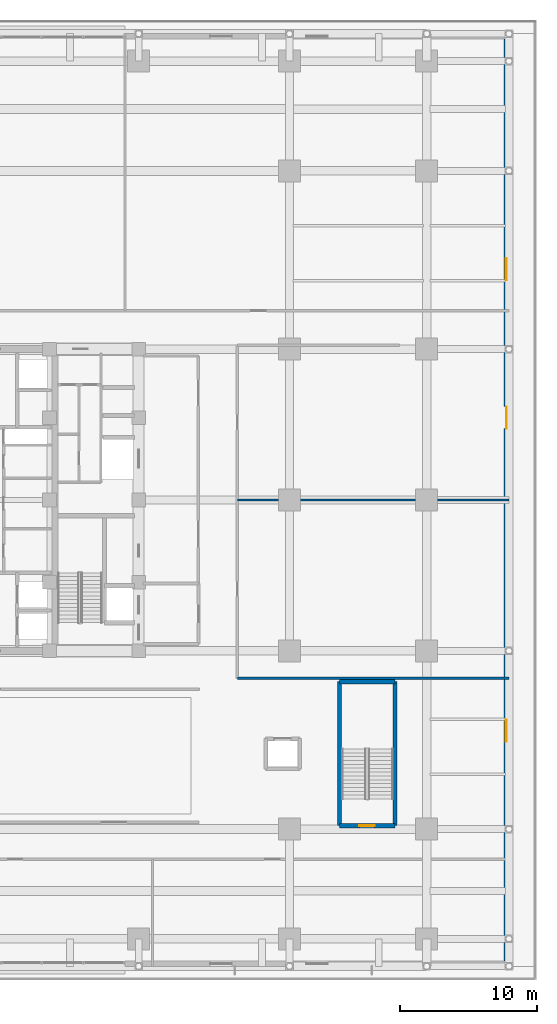
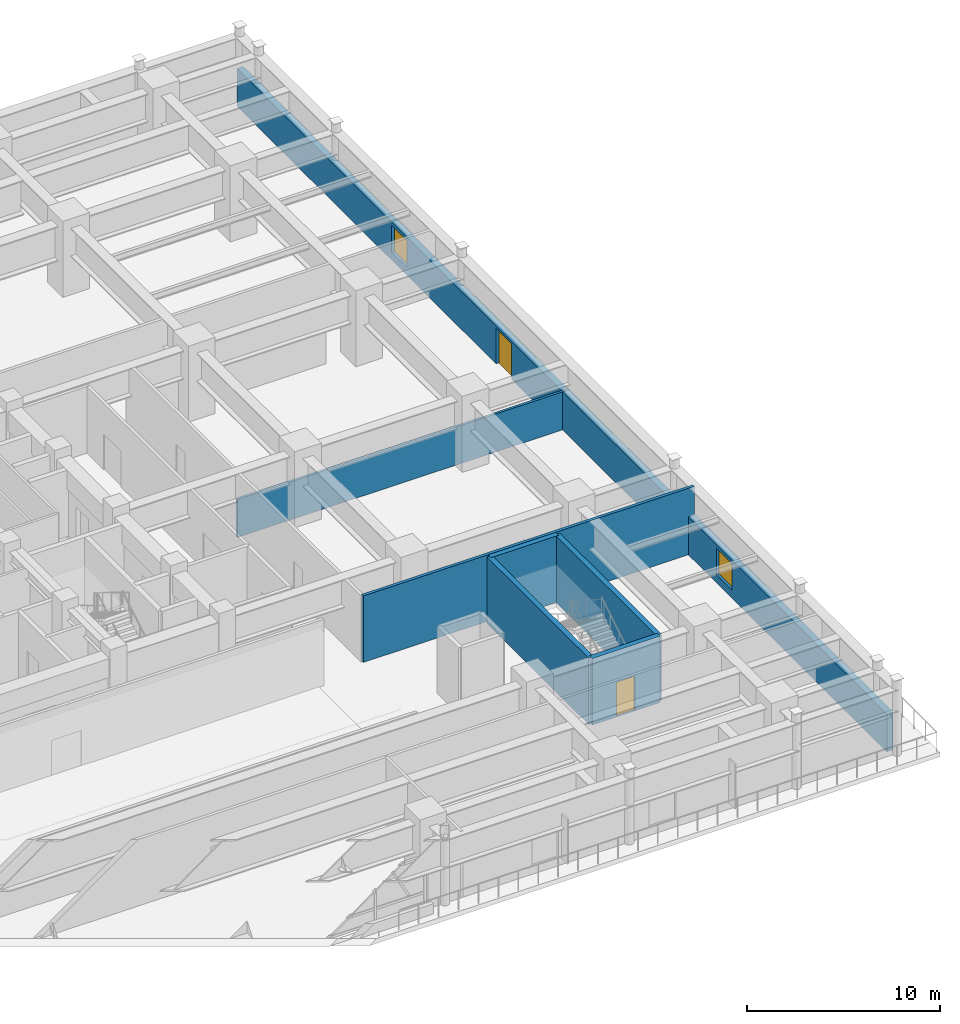
# One storey, part 27 of 35: 7 walls, 2 doors, 2 windows, 4 openings.
"""IFC4 building model written with IfcOpenShell, lengths in metres."""

from ifc_helpers import new_model, si_unit, direction, frame, frame_2d, origin, place, context, subcontext, project, spatial, rectangle, extrude, source, transform, mapped, material, layer, layer_set, type_object, element, fill, save


model = new_model("IFC4")

# Units and contexts
model_context = context("Model", 3, precision=1e-05, world=origin(), true_north=direction((0.0, 1.0)))
body_context = subcontext(model_context, "Body", "Model", "MODEL_VIEW")
ifc_project = project(units=[si_unit("LENGTHUNIT", "METRE"), si_unit("AREAUNIT", "SQUARE_METRE"), si_unit("VOLUMEUNIT", "CUBIC_METRE"), si_unit("PLANEANGLEUNIT", "RADIAN"), si_unit("MASSUNIT", "GRAM", prefix="KILO")], contexts=[model_context])

# Site, building, storey
site_placement = place(None, origin())
site = spatial("IfcSite", under=ifc_project, at=site_placement, CompositionType="ELEMENT")
building_placement = place(site_placement, origin())
building = spatial("IfcBuilding", under=site, at=building_placement, Name="Khorayat Bourse Tower", CompositionType="ELEMENT")
storey_placement = place(building_placement, frame((0.0, 0.0, 22.199951171875)))
storey = spatial("IfcBuildingStorey", under=building, at=storey_placement, Name="L04", CompositionType="ELEMENT", Elevation=22.199951171875)

# Wall, openings, door, windows
ifc_material_1 = material(Name="Precast concrete C45/55", Category="concrete")
ifc_layer_1 = layer(ifc_material_1, 0.3798828125)
ifc_layer_set_1 = layer_set([ifc_layer_1], Name="Precast concrete C45/55")
wall_type_1 = type_object("IfcWallType", Name="WAL-EXT-STONE-380", PredefinedType="STANDARD", material=ifc_layer_set_1)
shared_shape_1 = source(origin(), body_context, "Body", "SweptSolid", [
    extrude(rectangle(XDim=67.240234375, YDim=0.3798828125, at=frame_2d((33.6201171875, 0.0))), origin(), (0.0, 0.0, 1.0), 2.400146484375),
])
wall_1_placement = place(storey_placement, frame((37.81005859375, -33.6201171875, 0.0), z_axis=(0.0, 0.0, 1.0), x_axis=(0.0, 1.0, 0.0)))
wall_1 = element("IfcWall", 1, at=wall_1_placement, inside=storey, type_object=wall_type_1, Name="L04 Exterior Limestone Wall WAL-L04-EXT-EF", PredefinedType="STANDARD", context=body_context, shape_type="MappedRepresentation", body=[
    mapped(shared_shape_1, transform((0.0, 0.0, 0.0), scale=1.0)),
])
shared_shape_2 = source(origin(), body_context, "Body", "SweptSolid", [
    extrude(rectangle(XDim=1.60009765625, YDim=2.25, at=frame_2d((0.800048828125, 1.125))), frame((0.0, 0.199951171875, 0.0), z_axis=(0.0, -1.0, 0.0), x_axis=(1.0, 0.0, 0.0)), (0.0, 0.0, 1.0), 0.39990234375),
])
opening_1_placement = place(wall_1_placement, frame((38.820068359375, 0.0, 0.0)))
opening_1 = element("IfcOpeningElement", 2, at=opening_1_placement, cuts=wall_1, Name="Opening DE-04", PredefinedType="OPENING", context=body_context, shape_type="MappedRepresentation", body=[
    mapped(shared_shape_2, transform((0.0, 0.0, 0.0), scale=1.0)),
])
shared_shape_3 = source(origin(), body_context, "Body", "SweptSolid", [
    extrude(rectangle(XDim=1.60009765625, YDim=1.679931640625, at=frame_2d((0.800048828125, 0.83984375))), frame((0.0, 0.199951171875, 0.0), z_axis=(0.0, -1.0, 0.0), x_axis=(1.0, 0.0, 0.0)), (0.0, 0.0, 1.0), 0.39990234375),
])
opening_2_placement = place(wall_1_placement, frame((16.010009765625, 0.0, 0.5)))
opening_2 = element("IfcOpeningElement", 3, at=opening_2_placement, cuts=wall_1, Name="Opening WN-02", PredefinedType="OPENING", context=body_context, shape_type="MappedRepresentation", body=[
    mapped(shared_shape_3, transform((0.0, 0.0, 0.0), scale=1.0)),
])
opening_3_placement = place(wall_1_placement, frame((49.6298828125, 0.0, 0.5)))
opening_3 = element("IfcOpeningElement", 4, at=opening_3_placement, cuts=wall_1, Name="Opening WN-02", PredefinedType="OPENING", context=body_context, shape_type="MappedRepresentation", body=[
    mapped(shared_shape_3, transform((0.0, 0.0, 0.0), scale=1.0)),
])
ifc_material_2 = material(Name="Thermally broken aluminium terrace double door", Category="aluminium")
door_type_1 = type_object("IfcDoorType", Name="DR-EXT-TERR-1600", OperationType="NOTDEFINED", PredefinedType="DOOR", material=ifc_material_2)
shared_shape_4 = source(origin(), body_context, "Body", "SweptSolid", [
    extrude(rectangle(XDim=1.60009765625, YDim=2.25, at=frame_2d((0.800048828125, 1.125))), frame((0.0, 0.02490234375, 0.0), z_axis=(0.0, -1.0, 0.0), x_axis=(1.0, 0.0, 0.0)), (0.0, 0.0, 1.0), 0.050048828125),
])
door_1_placement = place(opening_1_placement, origin())
door_1 = element("IfcDoor", 5, at=door_1_placement, inside=storey, type_object=door_type_1, Name="L04 East Garden Terrace Door", OperationType="DOUBLE_DOOR_SINGLE_SWING", OverallHeight=2.25, OverallWidth=1.60009765625, PredefinedType="DOOR", context=body_context, shape_type="MappedRepresentation", body=[
    mapped(shared_shape_4, transform((0.0, 0.0, 0.0), scale=1.0)),
])
fill(opening_1, door_1)
ifc_material_3 = material(Name="Low-E solar-control laminated double glazing", Category="glass")
window_type = type_object("IfcWindowType", Name="WIN-POD-1600x2200", PartitioningType="SINGLE_PANEL", PredefinedType="WINDOW", material=ifc_material_3)
shared_shape_5 = source(origin(), body_context, "Body", "SweptSolid", [
    extrude(rectangle(XDim=1.60009765625, YDim=1.679931640625, at=frame_2d((0.800048828125, 0.83984375))), frame((0.0, 0.030029296875, 0.0), z_axis=(0.0, -1.0, 0.0), x_axis=(1.0, 0.0, 0.0)), (0.0, 0.0, 1.0), 0.06005859375),
])
window_1_placement = place(opening_2_placement, origin())
window_1 = element("IfcWindow", 6, at=window_1_placement, inside=storey, type_object=window_type, Name="L04 Facade Window 1", OverallHeight=1.679931640625, OverallWidth=1.60009765625, PartitioningType="SINGLE_PANEL", PredefinedType="WINDOW", context=body_context, shape_type="MappedRepresentation", body=[
    mapped(shared_shape_5, transform((0.0, 0.0, 0.0), scale=1.0)),
])
fill(opening_2, window_1)
window_2_placement = place(opening_3_placement, origin())
window_2 = element("IfcWindow", 7, at=window_2_placement, inside=storey, type_object=window_type, Name="L04 Facade Window 3", OverallHeight=1.679931640625, OverallWidth=1.60009765625, PartitioningType="SINGLE_PANEL", PredefinedType="WINDOW", context=body_context, shape_type="MappedRepresentation", body=[
    mapped(shared_shape_5, transform((0.0, 0.0, 0.0), scale=1.0)),
])
fill(opening_3, window_2)

# Wall, opening, door
ifc_material_4 = material(Name="Concrete C50/60", Category="concrete")
ifc_layer_2 = layer(ifc_material_4, 0.300048828125)
ifc_layer_set_2 = layer_set([ifc_layer_2], Name="Concrete C50/60")
wall_type_2 = type_object("IfcWallType", Name="WAL-SHAFT-300", PredefinedType="SHEAR", material=ifc_layer_set_2)
shared_shape_6 = source(origin(), body_context, "Body", "SweptSolid", [
    extrude(rectangle(XDim=4.050048828125, YDim=0.300048828125, at=frame_2d((2.02490234375, 0.0))), origin(), (0.0, 0.0, 1.0), 4.199951171875),
])
wall_2_placement = place(storey_placement, frame((25.64990234375, -23.75, 0.0), z_axis=(0.0, 0.0, 1.0), x_axis=(1.0, 0.0, 0.0)))
wall_2 = element("IfcWall", 8, at=wall_2_placement, inside=storey, type_object=wall_type_2, Name="L04 Partition WAL-L04-STP2-S", PredefinedType="SHEAR", context=body_context, shape_type="MappedRepresentation", body=[
    mapped(shared_shape_6, transform((0.0, 0.0, 0.0), scale=1.0)),
])
shared_shape_7 = source(origin(), body_context, "Body", "SweptSolid", [
    extrude(rectangle(XDim=1.10009765625, YDim=2.199951171875, at=frame_2d((0.550048828125, 1.10009765625))), frame((0.0, 0.159912109375, 0.0), z_axis=(0.0, -1.0, 0.0), x_axis=(1.0, 0.0, 0.0)), (0.0, 0.0, 1.0), 0.320068359375),
])
opening_4_placement = place(wall_2_placement, frame((1.449951171875, 0.0, 0.0)))
opening_4 = element("IfcOpeningElement", 9, at=opening_4_placement, cuts=wall_2, Name="Opening DI-01", PredefinedType="OPENING", context=body_context, shape_type="MappedRepresentation", body=[
    mapped(shared_shape_7, transform((0.0, 0.0, 0.0), scale=1.0)),
])
ifc_material_5 = material(Name="Fire-rated steel acoustic leaf", Category="steel")
door_type_2 = type_object("IfcDoorType", Name="DR-INT-STAIR-1100", OperationType="NOTDEFINED", PredefinedType="DOOR", material=ifc_material_5)
shared_shape_8 = source(origin(), body_context, "Body", "SweptSolid", [
    extrude(rectangle(XDim=1.10009765625, YDim=2.199951171875, at=frame_2d((0.550048828125, 1.10009765625))), frame((0.0, 0.02490234375, 0.0), z_axis=(0.0, -1.0, 0.0), x_axis=(1.0, 0.0, 0.0)), (0.0, 0.0, 1.0), 0.050048828125),
])
door_2_placement = place(opening_4_placement, origin())
door_2 = element("IfcDoor", 10, at=door_2_placement, inside=storey, type_object=door_type_2, Name="L04 Podium Stair P2 Door", OperationType="SINGLE_SWING_RIGHT", OverallHeight=2.199951171875, OverallWidth=1.10009765625, PredefinedType="DOOR", context=body_context, shape_type="MappedRepresentation", body=[
    mapped(shared_shape_8, transform((0.0, 0.0, 0.0), scale=1.0)),
])
fill(opening_4, door_2)

# Walls
wall_3_placement = place(storey_placement, frame((25.64990234375, -13.25, 0.0), z_axis=(0.0, 0.0, 1.0), x_axis=(1.0, 0.0, 0.0)))
element("IfcWall", 11, at=wall_3_placement, inside=storey, type_object=wall_type_2, Name="L04 Partition WAL-L04-STP2-N", PredefinedType="SHEAR", context=body_context, shape_type="MappedRepresentation", body=[
    mapped(shared_shape_6, transform((0.0, 0.0, 0.0), scale=1.0)),
])
shared_shape_9 = source(origin(), body_context, "Body", "SweptSolid", [
    extrude(rectangle(XDim=10.5, YDim=0.300048828125, at=frame_2d((5.25, 0.0))), origin(), (0.0, 0.0, 1.0), 4.199951171875),
])
for number, where, z_axis, x_axis, name in (
    (12, (25.64990234375, -23.75, 0.0), (0.0, 0.0, 1.0), (0.0, 1.0, 0.0), "L04 Partition WAL-L04-STP2-W"),
    (13, (29.699951171875, -23.75, 0.0), (0.0, 0.0, 1.0), (0.0, 1.0, 0.0), "L04 Partition WAL-L04-STP2-E"),
):
    element("IfcWall", number, at=place(storey_placement, frame(where, z_axis=z_axis, x_axis=x_axis)), inside=storey, type_object=wall_type_2, Name=name, PredefinedType="SHEAR", context=body_context, shape_type="MappedRepresentation", body=[
        mapped(shared_shape_9, transform((0.0, 0.0, 0.0), scale=1.0)),
    ])
ifc_material_6 = material(Name="Gypsum plasterboard acoustic stud wall")
ifc_layer_3 = layer(ifc_material_6, 0.179931640625)
ifc_layer_set_3 = layer_set([ifc_layer_3], Name="Gypsum plasterboard acoustic stud wall")
wall_type_3 = type_object("IfcWallType", Name="WAL-PART-CORR-180", PredefinedType="PARTITIONING", material=ifc_layer_set_3)
shared_shape_10 = source(origin(), body_context, "Body", "SweptSolid", [
    extrude(rectangle(XDim=19.800048828125, YDim=0.179931640625, at=frame_2d((9.89990234375, 0.0))), origin(), (0.0, 0.0, 1.0), 4.199951171875),
])
wall_4_placement = place(storey_placement, frame((18.199951171875, -13.0, 0.0), z_axis=(0.0, 0.0, 1.0), x_axis=(1.0, 0.0, 0.0)))
element("IfcWall", 14, at=wall_4_placement, inside=storey, type_object=wall_type_3, Name="L04 Partition WAL-L04-PE-S", PredefinedType="PARTITIONING", context=body_context, shape_type="MappedRepresentation", body=[
    mapped(shared_shape_10, transform((0.0, 0.0, 0.0), scale=1.0)),
])
ifc_material_7 = material(Name="Gypsum plasterboard twin-frame partition")
ifc_layer_4 = layer(ifc_material_7, 0.14990234375)
ifc_layer_set_4 = layer_set([ifc_layer_4], Name="Gypsum plasterboard twin-frame partition")
wall_type_4 = type_object("IfcWallType", Name="WAL-PART-SUITE-150", PredefinedType="PARTITIONING", material=ifc_layer_set_4)
shared_shape_11 = source(origin(), body_context, "Body", "SweptSolid", [
    extrude(rectangle(XDim=19.800048828125, YDim=0.14990234375, at=frame_2d((9.89990234375, 0.0))), origin(), (0.0, 0.0, 1.0), 2.400146484375),
])
wall_5_placement = place(storey_placement, frame((18.199951171875, 0.0, 0.0), z_axis=(0.0, 0.0, 1.0), x_axis=(1.0, 0.0, 0.0)))
element("IfcWall", 15, at=wall_5_placement, inside=storey, type_object=wall_type_4, Name="L04 Partition WAL-L04-PE-DIV-1", PredefinedType="PARTITIONING", context=body_context, shape_type="MappedRepresentation", body=[
    mapped(shared_shape_11, transform((0.0, 0.0, 0.0), scale=1.0)),
])

save(model, "model.ifc")
